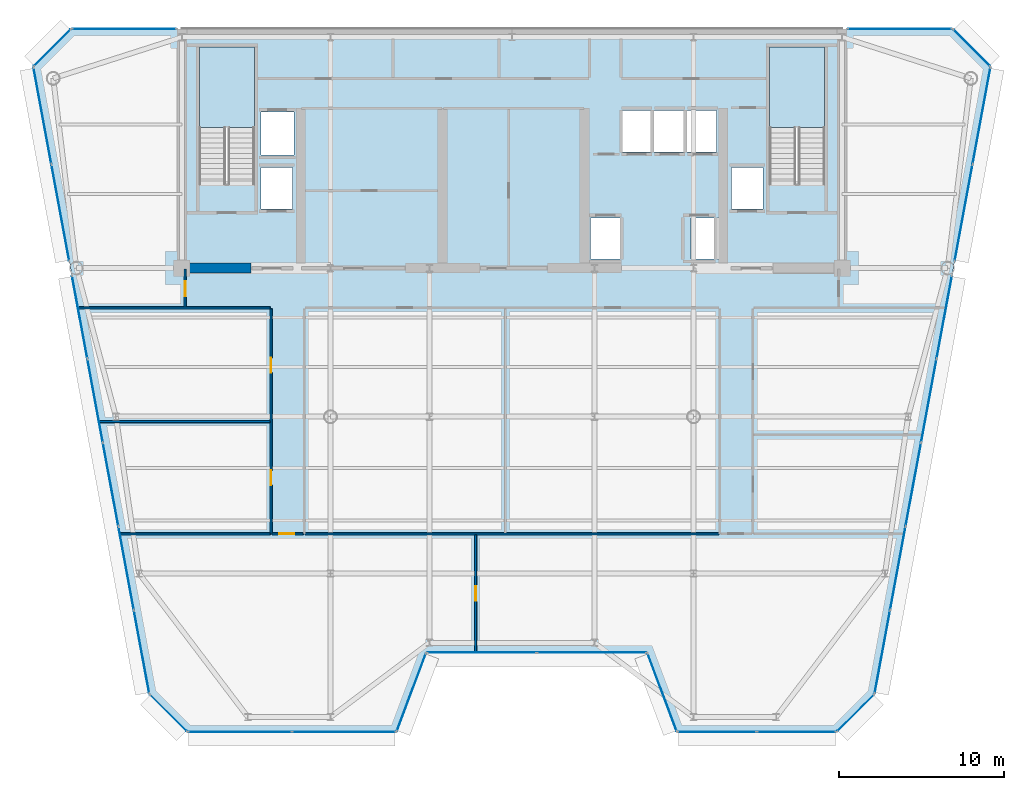
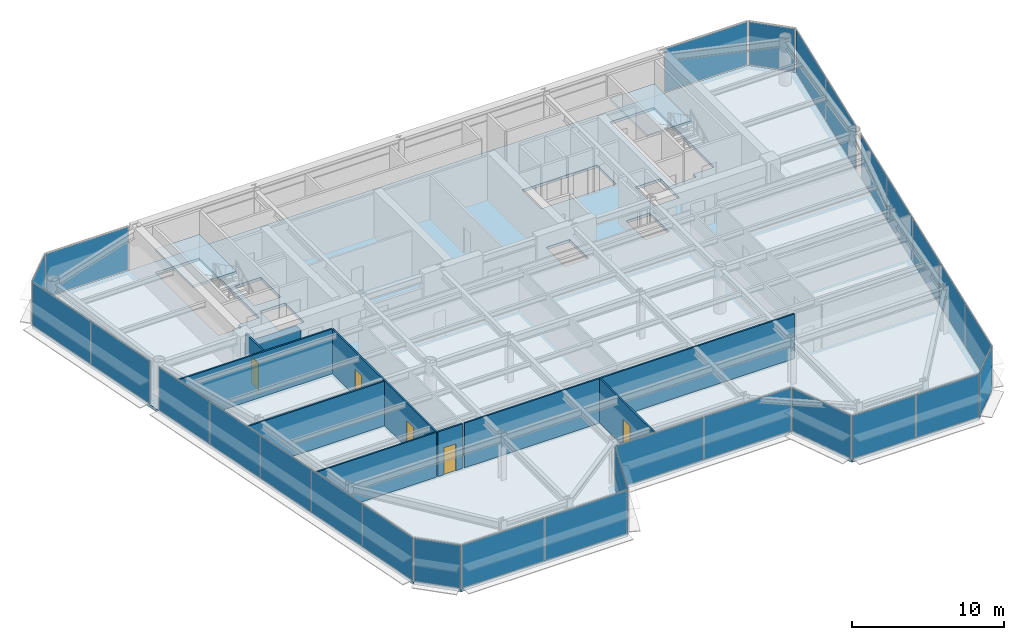
# One storey, part 10 of 16: 28 plates, 9 walls, 5 doors, 3 slabs, 5 openings, 17 elements without a shape of their own.
"""IFC4 building model written with IfcOpenShell, lengths in metres."""

from ifc_helpers import new_model, si_unit, direction, frame, frame_2d, origin, origin_2d, place, context, subcontext, project, spatial, polyline, rectangle, outline, extrude, source, transform, mapped, material, layer, layer_set, type_object, element, fill, aggregate, save


model = new_model("IFC4")

# Units and contexts
model_context = context("Model", 3, precision=1e-05, world=origin(), true_north=direction((0.0, 1.0)))
body_context = subcontext(model_context, "Body", "Model", "MODEL_VIEW")
ifc_project = project(units=[si_unit("LENGTHUNIT", "METRE"), si_unit("AREAUNIT", "SQUARE_METRE"), si_unit("VOLUMEUNIT", "CUBIC_METRE"), si_unit("PLANEANGLEUNIT", "RADIAN"), si_unit("MASSUNIT", "GRAM", prefix="KILO")], contexts=[model_context])

# Site, building, storey
site_placement = place(None, origin())
site = spatial("IfcSite", under=ifc_project, at=site_placement, CompositionType="ELEMENT")
building_placement = place(site_placement, origin())
building = spatial("IfcBuilding", under=site, at=building_placement, Name="Vaeldorn Concourse Tower", CompositionType="ELEMENT")
storey_placement = place(building_placement, frame((0.0, 0.0, 210.800048828125)))
storey = spatial("IfcBuildingStorey", under=building, at=storey_placement, Name="L54", CompositionType="ELEMENT", Elevation=210.800048828125)

# Stair, slab
ifc_material_1 = material(Name="Precast concrete C40/50", Category="concrete")
stair_type = type_object("IfcStairType", Name="STR-DOG-24x158", PredefinedType="HALF_TURN_STAIR", material=ifc_material_1)
stair_1_placement = place(storey_placement, origin())
stair_1 = element("IfcStair", 1, at=stair_1_placement, inside=storey, type_object=stair_type, Name="L54 West Core Exit Stair ST-1", PredefinedType="HALF_TURN_STAIR")
ifc_material_2 = material(Name="Concrete C40/50", Category="concrete")
ifc_layer_1 = layer(ifc_material_2, 0.199951171875)
ifc_layer_set_1 = layer_set([ifc_layer_1], Name="Concrete C40/50")
slab_type_1 = type_object("IfcSlabType", Name="SL-STAIR-LANDING", PredefinedType="LANDING", material=ifc_layer_set_1)
slab_1_placement = place(storey_placement, frame((0.0, 0.0, 1.699951171875)))
slab_1 = element("IfcSlab", 2, at=slab_1_placement, type_object=slab_type_1, Name="ST-1 landing 1", PredefinedType="LANDING", context=body_context, shape_type="SweptSolid", body=[
    extrude(outline(polyline([(18.39990234375, 45.010009765625), (18.39990234375, 49.89990234375), (15.050048828125, 49.89990234375), (15.050048828125, 45.010009765625), (18.39990234375, 45.010009765625)])), origin(), (0.0, 0.0, 1.0), 0.199951171875),
])
aggregate(stair_1, [slab_1])

stair_2_placement = place(storey_placement, origin())
stair_2 = element("IfcStair", 3, at=stair_2_placement, inside=storey, type_object=stair_type, Name="L54 East Core Exit Stair ST-2", PredefinedType="HALF_TURN_STAIR")
slab_2_placement = place(storey_placement, frame((0.0, 0.0, 1.699951171875)))
slab_2 = element("IfcSlab", 4, at=slab_2_placement, type_object=slab_type_1, Name="ST-2 landing 1", PredefinedType="LANDING", context=body_context, shape_type="SweptSolid", body=[
    extrude(outline(polyline([(52.949951171875, 45.010009765625), (52.949951171875, 49.89990234375), (49.60009765625, 49.89990234375), (49.60009765625, 45.010009765625), (52.949951171875, 45.010009765625)])), origin(), (0.0, 0.0, 1.0), 0.199951171875),
])
aggregate(stair_2, [slab_2])

# Slab
ifc_layer_2 = layer(ifc_material_2, 0.219970703125)
ifc_layer_set_2 = layer_set([ifc_layer_2], Name="Concrete C40/50")
slab_type_2 = type_object("IfcSlabType", Name="SL-TYP-220", PredefinedType="FLOOR", material=ifc_layer_set_2)
slab_3_placement = place(storey_placement, frame((0.0, 0.0, -0.219970703125)))
element("IfcSlab", 5, at=slab_3_placement, inside=storey, type_object=slab_type_2, Name="Structural Floor Slab L54", PredefinedType="FLOOR", context=body_context, shape_type="SweptSolid", body=[
    extrude(outline(polyline([(14.3291015625, 8.39990234375), (27.0, 8.39990234375), (28.800048828125, 13.199951171875), (42.199951171875, 13.199951171875), (44.0, 8.39990234375), (53.6708984375, 8.39990234375), (55.970947265625, 10.699951171875), (63.0, 48.699951171875), (60.699951171875, 51.0), (7.300048828125, 51.0), (5.0, 48.699951171875), (12.029052734375, 10.699951171875), (14.3291015625, 8.39990234375)]), holes=[polyline([(18.39990234375, 42.0), (18.39990234375, 49.89990234375), (15.050048828125, 49.89990234375), (15.050048828125, 41.60009765625), (16.800048828125, 41.60009765625), (16.800048828125, 42.0), (18.39990234375, 42.0)]), polyline([(52.949951171875, 42.0), (52.949951171875, 49.89990234375), (49.60009765625, 49.89990234375), (49.60009765625, 41.60009765625), (51.35009765625, 41.60009765625), (51.35009765625, 42.0), (52.949951171875, 42.0)]), polyline([(38.75, 37.050048828125), (40.550048828125, 37.050048828125), (40.550048828125, 39.550048828125), (38.75, 39.550048828125), (38.75, 37.050048828125)]), polyline([(44.85009765625, 37.050048828125), (46.64990234375, 37.050048828125), (46.64990234375, 39.550048828125), (44.85009765625, 39.550048828125), (44.85009765625, 37.050048828125)]), polyline([(40.699951171875, 43.550048828125), (46.39990234375, 43.550048828125), (46.39990234375, 46.050048828125), (40.699951171875, 46.050048828125), (40.699951171875, 43.550048828125)]), polyline([(18.800048828125, 43.35009765625), (20.800048828125, 43.35009765625), (20.800048828125, 45.949951171875), (18.800048828125, 45.949951171875), (18.800048828125, 43.35009765625)]), polyline([(18.800048828125, 40.10009765625), (20.699951171875, 40.10009765625), (20.699951171875, 42.60009765625), (18.800048828125, 42.60009765625), (18.800048828125, 40.10009765625)]), polyline([(47.300048828125, 40.10009765625), (49.199951171875, 40.10009765625), (49.199951171875, 42.60009765625), (47.300048828125, 42.60009765625), (47.300048828125, 40.10009765625)])]), origin(), (0.0, 0.0, 1.0), 0.219970703125),
])

# Curtain wall, plate
ifc_material_3 = material(Name="Anodised Bronze Aluminium", Category="aluminium")
ifc_layer_3 = layer(ifc_material_3, 0.18994140625)
ifc_layer_set_3 = layer_set([ifc_layer_3], Name="Anodised Bronze Aluminium")
curtain_wall_type = type_object("IfcCurtainWallType", Name="CW-SYS-03", PredefinedType="NOTDEFINED", material=ifc_layer_set_3)
curtain_wall_1_placement = place(storey_placement, origin())
curtain_wall_1 = element("IfcCurtainWall", 6, at=curtain_wall_1_placement, inside=storey, type_object=curtain_wall_type, Name="Unitised Curtain Wall CW-L54-E02-1", PredefinedType="NOTDEFINED")
ifc_material_4 = material(Name="Bronze Tinted Low-E Insulated Glass", Category="glass")
ifc_layer_4 = layer(ifc_material_4, 0.031982421875)
ifc_layer_set_4 = layer_set([ifc_layer_4], Name="Bronze Tinted Low-E Insulated Glass")
plate_type = type_object("IfcPlateType", Name="CWP-VISION-32", PredefinedType="CURTAIN_PANEL", material=ifc_layer_set_4)
shared_shape_1 = source(origin(), body_context, "Body", "SweptSolid", [
    extrude(rectangle(XDim=4.996337890625, YDim=0.031982421875, at=origin_2d()), origin(), (0.0, 0.0, 1.0), 3.449951171875),
])
plate_1_placement = place(storey_placement, frame((27.89990234375, 10.800048828125, 0.06494140625), z_axis=(0.0, 0.0, 1.0), x_axis=(0.351123441595, 0.936329177566, 0.0)))
plate_1 = element("IfcPlate", 7, at=plate_1_placement, type_object=plate_type, Name="CW-03 panel 1.1", PredefinedType="CURTAIN_PANEL", context=body_context, shape_type="MappedRepresentation", body=[
    mapped(shared_shape_1, transform((0.0, 0.0, 0.0), scale=1.0)),
])
aggregate(curtain_wall_1, [plate_1])

curtain_wall_2_placement = place(storey_placement, origin())
curtain_wall_2 = element("IfcCurtainWall", 8, at=curtain_wall_2_placement, inside=storey, type_object=curtain_wall_type, Name="Unitised Curtain Wall CW-L54-E04-1", PredefinedType="NOTDEFINED")
plate_2_placement = place(storey_placement, frame((43.10009765625, 10.800048828125, 0.06494140625), z_axis=(0.0, 0.0, 1.0), x_axis=(0.351123441595, -0.936329177566, 0.0)))
plate_2 = element("IfcPlate", 9, at=plate_2_placement, type_object=plate_type, Name="CW-03 panel 1.1", PredefinedType="CURTAIN_PANEL", context=body_context, shape_type="MappedRepresentation", body=[
    mapped(shared_shape_1, transform((0.0, 0.0, 0.0), scale=1.0)),
])
aggregate(curtain_wall_2, [plate_2])

# Curtain wall, plates
curtain_wall_3_placement = place(storey_placement, origin())
curtain_wall_3 = element("IfcCurtainWall", 10, at=curtain_wall_3_placement, inside=storey, type_object=curtain_wall_type, Name="Unitised Curtain Wall CW-L54-E03-1", PredefinedType="NOTDEFINED")
shared_shape_2 = source(origin(), body_context, "Body", "SweptSolid", [
    extrude(rectangle(XDim=6.6025390625, YDim=0.031982421875, at=origin_2d()), origin(), (0.0, 0.0, 1.0), 3.449951171875),
])
plate_3_placement = place(storey_placement, frame((32.166259765625, 13.199951171875, 0.06494140625), z_axis=(0.0, 0.0, 1.0), x_axis=(1.0, 0.0, 0.0)))
plate_3 = element("IfcPlate", 11, at=plate_3_placement, type_object=plate_type, Name="CW-03 panel 1.1", PredefinedType="CURTAIN_PANEL", context=body_context, shape_type="MappedRepresentation", body=[
    mapped(shared_shape_2, transform((0.0, 0.0, 0.0), scale=1.0)),
])
plate_4_placement = place(storey_placement, frame((38.833740234375, 13.199951171875, 0.06494140625), z_axis=(0.0, 0.0, 1.0), x_axis=(1.0, 0.0, 0.0)))
plate_4 = element("IfcPlate", 12, at=plate_4_placement, type_object=plate_type, Name="CW-03 panel 2.1", PredefinedType="CURTAIN_PANEL", context=body_context, shape_type="MappedRepresentation", body=[
    mapped(shared_shape_2, transform((0.0, 0.0, 0.0), scale=1.0)),
])
aggregate(curtain_wall_3, [plate_3, plate_4])

# Curtain wall, plate
curtain_wall_4_placement = place(storey_placement, origin())
curtain_wall_4 = element("IfcCurtainWall", 13, at=curtain_wall_4_placement, inside=storey, type_object=curtain_wall_type, Name="Unitised Curtain Wall CW-L54-E06-1", PredefinedType="NOTDEFINED")
shared_shape_3 = source(origin(), body_context, "Body", "SweptSolid", [
    extrude(rectangle(XDim=3.122802734375, YDim=0.031982421875, at=origin_2d()), origin(), (0.0, 0.0, 1.0), 3.449951171875),
])
plate_5_placement = place(storey_placement, frame((54.821044921875, 9.550048828125, 0.06494140625), z_axis=(0.0, 0.0, 1.0), x_axis=(0.707106781187, 0.707106781187, 0.0)))
plate_5 = element("IfcPlate", 14, at=plate_5_placement, type_object=plate_type, Name="CW-03 panel 1.1", PredefinedType="CURTAIN_PANEL", context=body_context, shape_type="MappedRepresentation", body=[
    mapped(shared_shape_3, transform((0.0, 0.0, 0.0), scale=1.0)),
])
aggregate(curtain_wall_4, [plate_5])

curtain_wall_5_placement = place(storey_placement, origin())
curtain_wall_5 = element("IfcCurtainWall", 15, at=curtain_wall_5_placement, inside=storey, type_object=curtain_wall_type, Name="Unitised Curtain Wall CW-L54-E08-1", PredefinedType="NOTDEFINED")
plate_6_placement = place(storey_placement, frame((61.85009765625, 49.85009765625, 0.06494140625), z_axis=(0.0, 0.0, 1.0), x_axis=(-0.707106781187, 0.707106781187, 0.0)))
plate_6 = element("IfcPlate", 16, at=plate_6_placement, type_object=plate_type, Name="CW-03 panel 1.1", PredefinedType="CURTAIN_PANEL", context=body_context, shape_type="MappedRepresentation", body=[
    mapped(shared_shape_3, transform((0.0, 0.0, 0.0), scale=1.0)),
])
aggregate(curtain_wall_5, [plate_6])

curtain_wall_6_placement = place(storey_placement, origin())
curtain_wall_6 = element("IfcCurtainWall", 17, at=curtain_wall_6_placement, inside=storey, type_object=curtain_wall_type, Name="Unitised Curtain Wall CW-L54-E10-1", PredefinedType="NOTDEFINED")
plate_7_placement = place(storey_placement, frame((6.14990234375, 49.85009765625, 0.06494140625), z_axis=(0.0, 0.0, 1.0), x_axis=(-0.707106781187, -0.707106781187, 0.0)))
plate_7 = element("IfcPlate", 18, at=plate_7_placement, type_object=plate_type, Name="CW-03 panel 1.1", PredefinedType="CURTAIN_PANEL", context=body_context, shape_type="MappedRepresentation", body=[
    mapped(shared_shape_3, transform((0.0, 0.0, 0.0), scale=1.0)),
])
aggregate(curtain_wall_6, [plate_7])

curtain_wall_7_placement = place(storey_placement, origin())
curtain_wall_7 = element("IfcCurtainWall", 19, at=curtain_wall_7_placement, inside=storey, type_object=curtain_wall_type, Name="Unitised Curtain Wall CW-L54-E12-1", PredefinedType="NOTDEFINED")
plate_8_placement = place(storey_placement, frame((13.178955078125, 9.550048828125, 0.06494140625), z_axis=(0.0, 0.0, 1.0), x_axis=(0.707106781187, -0.707106781187, 0.0)))
plate_8 = element("IfcPlate", 20, at=plate_8_placement, type_object=plate_type, Name="CW-03 panel 1.1", PredefinedType="CURTAIN_PANEL", context=body_context, shape_type="MappedRepresentation", body=[
    mapped(shared_shape_3, transform((0.0, 0.0, 0.0), scale=1.0)),
])
aggregate(curtain_wall_7, [plate_8])

curtain_wall_8_placement = place(storey_placement, origin())
curtain_wall_8 = element("IfcCurtainWall", 21, at=curtain_wall_8_placement, inside=storey, type_object=curtain_wall_type, Name="Unitised Curtain Wall CW-L54-E09-1", PredefinedType="NOTDEFINED")
shared_shape_4 = source(origin(), body_context, "Body", "SweptSolid", [
    extrude(rectangle(XDim=6.27490234375, YDim=0.031982421875, at=origin_2d()), origin(), (0.0, 0.0, 1.0), 3.449951171875),
])
plate_9_placement = place(storey_placement, frame((57.49755859375, 51.0, 0.06494140625), z_axis=(0.0, 0.0, 1.0), x_axis=(-1.0, 0.0, 0.0)))
plate_9 = element("IfcPlate", 22, at=plate_9_placement, type_object=plate_type, Name="CW-03 panel 1.1", PredefinedType="CURTAIN_PANEL", context=body_context, shape_type="MappedRepresentation", body=[
    mapped(shared_shape_4, transform((0.0, 0.0, 0.0), scale=1.0)),
])
aggregate(curtain_wall_8, [plate_9])

curtain_wall_9_placement = place(storey_placement, origin())
curtain_wall_9 = element("IfcCurtainWall", 23, at=curtain_wall_9_placement, inside=storey, type_object=curtain_wall_type, Name="Unitised Curtain Wall CW-L54-E09-2", PredefinedType="NOTDEFINED")
plate_10_placement = place(storey_placement, frame((10.50244140625, 51.0, 0.06494140625), z_axis=(0.0, 0.0, 1.0), x_axis=(-1.0, 0.0, 0.0)))
plate_10 = element("IfcPlate", 24, at=plate_10_placement, type_object=plate_type, Name="CW-03 panel 1.1", PredefinedType="CURTAIN_PANEL", context=body_context, shape_type="MappedRepresentation", body=[
    mapped(shared_shape_4, transform((0.0, 0.0, 0.0), scale=1.0)),
])
aggregate(curtain_wall_9, [plate_10])

# Curtain wall, plates
curtain_wall_10_placement = place(storey_placement, origin())
curtain_wall_10 = element("IfcCurtainWall", 25, at=curtain_wall_10_placement, inside=storey, type_object=curtain_wall_type, Name="Unitised Curtain Wall CW-L54-E07-1", PredefinedType="NOTDEFINED")
shared_shape_5 = source(origin(), body_context, "Body", "SweptSolid", [
    extrude(rectangle(XDim=5.0654296875, YDim=0.031982421875, at=origin_2d()), origin(), (0.0, 0.0, 1.0), 3.449951171875),
])
plate_11_placement = place(storey_placement, frame((56.443603515625, 13.25439453125, 0.06494140625), z_axis=(0.0, 0.0, 1.0), x_axis=(0.181888946432, 0.983319079021, 0.0)))
plate_11 = element("IfcPlate", 26, at=plate_11_placement, type_object=plate_type, Name="CW-03 panel 1.1", PredefinedType="CURTAIN_PANEL", context=body_context, shape_type="MappedRepresentation", body=[
    mapped(shared_shape_5, transform((0.0, 0.0, 0.0), scale=1.0)),
])
plate_12_placement = place(storey_placement, frame((60.19384765625, 33.529052734375, 0.06494140625), z_axis=(0.0, 0.0, 1.0), x_axis=(0.181888946432, 0.983319079021, 0.0)))
plate_12 = element("IfcPlate", 27, at=plate_12_placement, type_object=plate_type, Name="CW-03 panel 5.1", PredefinedType="CURTAIN_PANEL", context=body_context, shape_type="MappedRepresentation", body=[
    mapped(shared_shape_5, transform((0.0, 0.0, 0.0), scale=1.0)),
])

curtain_wall_11_placement = place(storey_placement, origin())
curtain_wall_11 = element("IfcCurtainWall", 28, at=curtain_wall_11_placement, inside=storey, type_object=curtain_wall_type, Name="Unitised Curtain Wall CW-L54-E11-2", PredefinedType="NOTDEFINED")
plate_13_placement = place(storey_placement, frame((7.80615234375, 33.529052734375, 0.06494140625), z_axis=(0.0, 0.0, 1.0), x_axis=(0.181888946432, -0.983319079021, 0.0)))
plate_13 = element("IfcPlate", 29, at=plate_13_placement, type_object=plate_type, Name="CW-03 panel 1.1", PredefinedType="CURTAIN_PANEL", context=body_context, shape_type="MappedRepresentation", body=[
    mapped(shared_shape_5, transform((0.0, 0.0, 0.0), scale=1.0)),
])
plate_14_placement = place(storey_placement, frame((11.556396484375, 13.25439453125, 0.06494140625), z_axis=(0.0, 0.0, 1.0), x_axis=(0.181888946432, -0.983319079021, 0.0)))
plate_14 = element("IfcPlate", 30, at=plate_14_placement, type_object=plate_type, Name="CW-03 panel 5.1", PredefinedType="CURTAIN_PANEL", context=body_context, shape_type="MappedRepresentation", body=[
    mapped(shared_shape_5, transform((0.0, 0.0, 0.0), scale=1.0)),
])

# Plate
shared_shape_6 = source(origin(), body_context, "Body", "SweptSolid", [
    extrude(rectangle(XDim=5.097900390625, YDim=0.031982421875, at=origin_2d()), origin(), (0.0, 0.0, 1.0), 3.449951171875),
])
plate_15_placement = place(storey_placement, frame((57.379638671875, 18.31494140625, 0.06494140625), z_axis=(0.0, 0.0, 1.0), x_axis=(0.181888946432, 0.983319079021, 0.0)))
plate_15 = element("IfcPlate", 31, at=plate_15_placement, type_object=plate_type, Name="CW-03 panel 2.1", PredefinedType="CURTAIN_PANEL", context=body_context, shape_type="MappedRepresentation", body=[
    mapped(shared_shape_6, transform((0.0, 0.0, 0.0), scale=1.0)),
])

plate_16_placement = place(storey_placement, frame((58.318603515625, 23.391845703125, 0.06494140625), z_axis=(0.0, 0.0, 1.0), x_axis=(0.181888946432, 0.983319079021, 0.0)))
plate_16 = element("IfcPlate", 32, at=plate_16_placement, type_object=plate_type, Name="CW-03 panel 3.1", PredefinedType="CURTAIN_PANEL", context=body_context, shape_type="MappedRepresentation", body=[
    mapped(shared_shape_6, transform((0.0, 0.0, 0.0), scale=1.0)),
])

plate_17_placement = place(storey_placement, frame((59.2578125, 28.468505859375, 0.06494140625), z_axis=(0.0, 0.0, 1.0), x_axis=(0.181888946432, 0.983319079021, 0.0)))
plate_17 = element("IfcPlate", 33, at=plate_17_placement, type_object=plate_type, Name="CW-03 panel 4.1", PredefinedType="CURTAIN_PANEL", context=body_context, shape_type="MappedRepresentation", body=[
    mapped(shared_shape_6, transform((0.0, 0.0, 0.0), scale=1.0)),
])

aggregate(curtain_wall_10, [plate_11, plate_15, plate_16, plate_17, plate_12])

plate_18_placement = place(storey_placement, frame((8.7421875, 28.468505859375, 0.06494140625), z_axis=(0.0, 0.0, 1.0), x_axis=(0.181888946432, -0.983319079021, 0.0)))
plate_18 = element("IfcPlate", 34, at=plate_18_placement, type_object=plate_type, Name="CW-03 panel 2.1", PredefinedType="CURTAIN_PANEL", context=body_context, shape_type="MappedRepresentation", body=[
    mapped(shared_shape_6, transform((0.0, 0.0, 0.0), scale=1.0)),
])

plate_19_placement = place(storey_placement, frame((9.681396484375, 23.391845703125, 0.06494140625), z_axis=(0.0, 0.0, 1.0), x_axis=(0.181888946432, -0.983319079021, 0.0)))
plate_19 = element("IfcPlate", 35, at=plate_19_placement, type_object=plate_type, Name="CW-03 panel 3.1", PredefinedType="CURTAIN_PANEL", context=body_context, shape_type="MappedRepresentation", body=[
    mapped(shared_shape_6, transform((0.0, 0.0, 0.0), scale=1.0)),
])

plate_20_placement = place(storey_placement, frame((10.620361328125, 18.31494140625, 0.06494140625), z_axis=(0.0, 0.0, 1.0), x_axis=(0.181888946432, -0.983319079021, 0.0)))
plate_20 = element("IfcPlate", 36, at=plate_20_placement, type_object=plate_type, Name="CW-03 panel 4.1", PredefinedType="CURTAIN_PANEL", context=body_context, shape_type="MappedRepresentation", body=[
    mapped(shared_shape_6, transform((0.0, 0.0, 0.0), scale=1.0)),
])

aggregate(curtain_wall_11, [plate_13, plate_18, plate_19, plate_20, plate_14])

# Curtain wall, plates
curtain_wall_12_placement = place(storey_placement, origin())
curtain_wall_12 = element("IfcCurtainWall", 37, at=curtain_wall_12_placement, inside=storey, type_object=curtain_wall_type, Name="Unitised Curtain Wall CW-L54-E07-2", PredefinedType="NOTDEFINED")
shared_shape_7 = source(origin(), body_context, "Body", "SweptSolid", [
    extrude(rectangle(XDim=5.90478515625, YDim=0.031982421875, at=origin_2d()), origin(), (0.0, 0.0, 1.0), 3.449951171875),
])
plate_21_placement = place(storey_placement, frame((61.365234375, 39.86279296875, 0.06494140625), z_axis=(0.0, 0.0, 1.0), x_axis=(0.181887908602, 0.983319270992, 0.0)))
plate_21 = element("IfcPlate", 38, at=plate_21_placement, type_object=plate_type, Name="CW-03 panel 1.1", PredefinedType="CURTAIN_PANEL", context=body_context, shape_type="MappedRepresentation", body=[
    mapped(shared_shape_7, transform((0.0, 0.0, 0.0), scale=1.0)),
])
plate_22_placement = place(storey_placement, frame((62.451171875, 45.73291015625, 0.06494140625), z_axis=(0.0, 0.0, 1.0), x_axis=(0.181887908602, 0.983319270992, 0.0)))
plate_22 = element("IfcPlate", 39, at=plate_22_placement, type_object=plate_type, Name="CW-03 panel 2.1", PredefinedType="CURTAIN_PANEL", context=body_context, shape_type="MappedRepresentation", body=[
    mapped(shared_shape_7, transform((0.0, 0.0, 0.0), scale=1.0)),
])
aggregate(curtain_wall_12, [plate_21, plate_22])

curtain_wall_13_placement = place(storey_placement, origin())
curtain_wall_13 = element("IfcCurtainWall", 40, at=curtain_wall_13_placement, inside=storey, type_object=curtain_wall_type, Name="Unitised Curtain Wall CW-L54-E11-1", PredefinedType="NOTDEFINED")
plate_23_placement = place(storey_placement, frame((5.548828125, 45.73291015625, 0.06494140625), z_axis=(0.0, 0.0, 1.0), x_axis=(0.181887908602, -0.983319270992, 0.0)))
plate_23 = element("IfcPlate", 41, at=plate_23_placement, type_object=plate_type, Name="CW-03 panel 1.1", PredefinedType="CURTAIN_PANEL", context=body_context, shape_type="MappedRepresentation", body=[
    mapped(shared_shape_7, transform((0.0, 0.0, 0.0), scale=1.0)),
])
plate_24_placement = place(storey_placement, frame((6.634765625, 39.86279296875, 0.06494140625), z_axis=(0.0, 0.0, 1.0), x_axis=(0.181887908602, -0.983319270992, 0.0)))
plate_24 = element("IfcPlate", 42, at=plate_24_placement, type_object=plate_type, Name="CW-03 panel 2.1", PredefinedType="CURTAIN_PANEL", context=body_context, shape_type="MappedRepresentation", body=[
    mapped(shared_shape_7, transform((0.0, 0.0, 0.0), scale=1.0)),
])
aggregate(curtain_wall_13, [plate_23, plate_24])

curtain_wall_14_placement = place(storey_placement, origin())
curtain_wall_14 = element("IfcCurtainWall", 43, at=curtain_wall_14_placement, inside=storey, type_object=curtain_wall_type, Name="Unitised Curtain Wall CW-L54-E01-1", PredefinedType="NOTDEFINED")
shared_shape_8 = source(origin(), body_context, "Body", "SweptSolid", [
    extrude(rectangle(XDim=6.238037109375, YDim=0.031982421875, at=origin_2d()), origin(), (0.0, 0.0, 1.0), 3.449951171875),
])
plate_25_placement = place(storey_placement, frame((17.512939453125, 8.39990234375, 0.06494140625), z_axis=(0.0, 0.0, 1.0), x_axis=(1.0, 0.0, 0.0)))
plate_25 = element("IfcPlate", 44, at=plate_25_placement, type_object=plate_type, Name="CW-03 panel 1.1", PredefinedType="CURTAIN_PANEL", context=body_context, shape_type="MappedRepresentation", body=[
    mapped(shared_shape_8, transform((0.0, 0.0, 0.0), scale=1.0)),
])
plate_26_placement = place(storey_placement, frame((23.81591796875, 8.39990234375, 0.06494140625), z_axis=(0.0, 0.0, 1.0), x_axis=(1.0, 0.0, 0.0)))
plate_26 = element("IfcPlate", 45, at=plate_26_placement, type_object=plate_type, Name="CW-03 panel 2.1", PredefinedType="CURTAIN_PANEL", context=body_context, shape_type="MappedRepresentation", body=[
    mapped(shared_shape_8, transform((0.0, 0.0, 0.0), scale=1.0)),
])
aggregate(curtain_wall_14, [plate_25, plate_26])

curtain_wall_15_placement = place(storey_placement, origin())
curtain_wall_15 = element("IfcCurtainWall", 46, at=curtain_wall_15_placement, inside=storey, type_object=curtain_wall_type, Name="Unitised Curtain Wall CW-L54-E05-1", PredefinedType="NOTDEFINED")
shared_shape_9 = source(origin(), body_context, "Body", "SweptSolid", [
    extrude(rectangle(XDim=4.738037109375, YDim=0.031982421875, at=origin_2d()), origin(), (0.0, 0.0, 1.0), 3.449951171875),
])
plate_27_placement = place(storey_placement, frame((46.43408203125, 8.39990234375, 0.06494140625), z_axis=(0.0, 0.0, 1.0), x_axis=(1.0, 0.0, 0.0)))
plate_27 = element("IfcPlate", 47, at=plate_27_placement, type_object=plate_type, Name="CW-03 panel 1.1", PredefinedType="CURTAIN_PANEL", context=body_context, shape_type="MappedRepresentation", body=[
    mapped(shared_shape_9, transform((0.0, 0.0, 0.0), scale=1.0)),
])
plate_28_placement = place(storey_placement, frame((51.237060546875, 8.39990234375, 0.06494140625), z_axis=(0.0, 0.0, 1.0), x_axis=(1.0, 0.0, 0.0)))
plate_28 = element("IfcPlate", 48, at=plate_28_placement, type_object=plate_type, Name="CW-03 panel 2.1", PredefinedType="CURTAIN_PANEL", context=body_context, shape_type="MappedRepresentation", body=[
    mapped(shared_shape_9, transform((0.0, 0.0, 0.0), scale=1.0)),
])
aggregate(curtain_wall_15, [plate_27, plate_28])

# Walls
ifc_material_5 = material(Name="Concrete C50/60", Category="concrete")
ifc_layer_5 = layer(ifc_material_5, 0.60009765625)
ifc_layer_set_5 = layer_set([ifc_layer_5], Name="Concrete C50/60")
wall_type_1 = type_object("IfcWallType", Name="WL-CORE-600", PredefinedType="SHEAR", material=ifc_layer_set_5)
wall_1_placement = place(storey_placement, frame((14.320068359375, 36.5, 0.0), z_axis=(0.0, 0.0, 1.0), x_axis=(1.0, 0.0, 0.0)))
element("IfcWall", 49, at=wall_1_placement, inside=storey, type_object=wall_type_1, Name="Rear Core Shear Wall L54 S1", PredefinedType="SHEAR", context=body_context, shape_type="SweptSolid", body=[
    extrude(rectangle(XDim=3.8798828125, YDim=0.60009765625, at=frame_2d((1.93994140625, 0.0))), origin(), (0.0, 0.0, 1.0), 2.579833984375),
])
ifc_material_6 = material(Name="Gypsum Board Partition", Category="gypsum")
ifc_layer_6 = layer(ifc_material_6, 0.1201171875)
ifc_layer_set_6 = layer_set([ifc_layer_6], Name="Gypsum Board Partition")
wall_type_2 = type_object("IfcWallType", Name="WL-PART-120", PredefinedType="PARTITIONING", material=ifc_layer_set_6)
wall_2_placement = place(storey_placement, frame((7.740478515625, 34.10009765625, 0.0), z_axis=(0.0, 0.0, 1.0), x_axis=(1.0, 0.0, 0.0)))
element("IfcWall", 50, at=wall_2_placement, inside=storey, type_object=wall_type_2, Name="Interior Wall PW-L54-CEWW", PredefinedType="PARTITIONING", context=body_context, shape_type="SweptSolid", body=[
    extrude(rectangle(XDim=11.599609375, YDim=0.1201171875, at=frame_2d((5.7998046875, 0.0))), origin(), (0.0, 0.0, 1.0), 3.579833984375),
])

# Wall, opening, door
wall_3_placement = place(storey_placement, frame((14.199951171875, 34.159912109375, 0.0), z_axis=(0.0, 0.0, 1.0), x_axis=(0.0, 1.0, 0.0)))
wall_3 = element("IfcWall", 51, at=wall_3_placement, inside=storey, type_object=wall_type_2, Name="Interior Wall PW-L54-CWWT", PredefinedType="PARTITIONING", context=body_context, shape_type="SweptSolid", body=[
    extrude(rectangle(XDim=2.280029296875, YDim=0.1201171875, at=frame_2d((1.14013671875, 0.0))), origin(), (0.0, 0.0, 1.0), 3.579833984375),
])
opening_1_placement = place(wall_3_placement, frame((0.64990234375, 0.0, 0.0)))
opening_1 = element("IfcOpeningElement", 52, at=opening_1_placement, cuts=wall_3, Name="Opening D-03", PredefinedType="OPENING", context=body_context, shape_type="SweptSolid", body=[
    extrude(rectangle(XDim=0.89990234375, YDim=2.14990234375, at=frame_2d((0.449951171875, 1.074951171875))), frame((0.0, 0.070068359375, 0.0), z_axis=(0.0, -1.0, 0.0), x_axis=(1.0, 0.0, 0.0)), (0.0, 0.0, 1.0), 0.14013671875),
])
ifc_material_7 = material(Name="Acoustic Bronze-Framed Glass Door", Category="glass")
door_type = type_object("IfcDoorType", Name="DR-INT-900", OperationType="NOTDEFINED", PredefinedType="DOOR", material=ifc_material_7)
shared_shape_10 = source(origin(), body_context, "Body", "SweptSolid", [
    extrude(rectangle(XDim=0.89990234375, YDim=2.14990234375, at=frame_2d((0.449951171875, 1.074951171875))), frame((0.0, 0.02490234375, 0.0), z_axis=(0.0, -1.0, 0.0), x_axis=(1.0, 0.0, 0.0)), (0.0, 0.0, 1.0), 0.050048828125),
])
door_1_placement = place(opening_1_placement, origin())
door_1 = element("IfcDoor", 53, at=door_1_placement, inside=storey, type_object=door_type, Name="Interior Door DR-L54-NW1", OperationType="SINGLE_SWING_LEFT", OverallHeight=2.14990234375, OverallWidth=0.89990234375, PredefinedType="DOOR", context=body_context, shape_type="MappedRepresentation", body=[
    mapped(shared_shape_10, transform((0.0, 0.0, 0.0), scale=1.0)),
])
fill(opening_1, door_1)

# Wall, openings, doors
wall_4_placement = place(storey_placement, frame((19.39990234375, 20.39990234375, 0.0), z_axis=(0.0, 0.0, 1.0), x_axis=(0.0, 1.0, 0.0)))
wall_4 = element("IfcWall", 54, at=wall_4_placement, inside=storey, type_object=wall_type_2, Name="Interior Wall PW-L54-CWW", PredefinedType="PARTITIONING", context=body_context, shape_type="SweptSolid", body=[
    extrude(rectangle(XDim=13.64013671875, YDim=0.1201171875, at=frame_2d((6.820068359375, 0.0))), origin(), (0.0, 0.0, 1.0), 3.579833984375),
])
opening_2_placement = place(wall_4_placement, frame((2.949951171875, 0.0, 0.0)))
opening_2 = element("IfcOpeningElement", 55, at=opening_2_placement, cuts=wall_4, Name="Opening D-03", PredefinedType="OPENING", context=body_context, shape_type="SweptSolid", body=[
    extrude(rectangle(XDim=0.89990234375, YDim=2.14990234375, at=frame_2d((0.449951171875, 1.074951171875))), frame((0.0, 0.070068359375, 0.0), z_axis=(0.0, -1.0, 0.0), x_axis=(1.0, 0.0, 0.0)), (0.0, 0.0, 1.0), 0.14013671875),
])
opening_3_placement = place(wall_4_placement, frame((9.77001953125, 0.0, 0.0)))
opening_3 = element("IfcOpeningElement", 56, at=opening_3_placement, cuts=wall_4, Name="Opening D-03", PredefinedType="OPENING", context=body_context, shape_type="SweptSolid", body=[
    extrude(rectangle(XDim=0.89990234375, YDim=2.14990234375, at=frame_2d((0.449951171875, 1.074951171875))), frame((0.0, 0.070068359375, 0.0), z_axis=(0.0, -1.0, 0.0), x_axis=(1.0, 0.0, 0.0)), (0.0, 0.0, 1.0), 0.14013671875),
])
door_2_placement = place(opening_2_placement, origin())
door_2 = element("IfcDoor", 57, at=door_2_placement, inside=storey, type_object=door_type, Name="Interior Door DR-L54-W1", OperationType="SINGLE_SWING_LEFT", OverallHeight=2.14990234375, OverallWidth=0.89990234375, PredefinedType="DOOR", context=body_context, shape_type="MappedRepresentation", body=[
    mapped(shared_shape_10, transform((0.0, 0.0, 0.0), scale=1.0)),
])
fill(opening_2, door_2)
door_3_placement = place(opening_3_placement, origin())
door_3 = element("IfcDoor", 58, at=door_3_placement, inside=storey, type_object=door_type, Name="Interior Door DR-L54-W2", OperationType="SINGLE_SWING_RIGHT", OverallHeight=2.14990234375, OverallWidth=0.89990234375, PredefinedType="DOOR", context=body_context, shape_type="MappedRepresentation", body=[
    mapped(shared_shape_10, transform((0.0, 0.0, 0.0), scale=1.0)),
])
fill(opening_3, door_3)

# Wall, opening, door
wall_5_placement = place(storey_placement, frame((19.4599609375, 20.39990234375, 0.0), z_axis=(0.0, 0.0, 1.0), x_axis=(1.0, 0.0, 0.0)))
wall_5 = element("IfcWall", 59, at=wall_5_placement, inside=storey, type_object=wall_type_2, Name="Interior Wall PW-L54-CWS", PredefinedType="PARTITIONING", context=body_context, shape_type="SweptSolid", body=[
    extrude(rectangle(XDim=1.880126953125, YDim=0.1201171875, at=frame_2d((0.93994140625, 0.0))), origin(), (0.0, 0.0, 1.0), 3.579833984375),
])
opening_4_placement = place(wall_5_placement, frame((0.449951171875, 0.0, 0.0)))
opening_4 = element("IfcOpeningElement", 60, at=opening_4_placement, cuts=wall_5, Name="Opening D-03", PredefinedType="OPENING", context=body_context, shape_type="SweptSolid", body=[
    extrude(rectangle(XDim=0.89990234375, YDim=2.14990234375, at=frame_2d((0.449951171875, 1.074951171875))), frame((0.0, 0.070068359375, 0.0), z_axis=(0.0, -1.0, 0.0), x_axis=(1.0, 0.0, 0.0)), (0.0, 0.0, 1.0), 0.14013671875),
])
door_4_placement = place(opening_4_placement, origin())
door_4 = element("IfcDoor", 61, at=door_4_placement, inside=storey, type_object=door_type, Name="Interior Door DR-L54-SWL", OperationType="SINGLE_SWING_LEFT", OverallHeight=2.14990234375, OverallWidth=0.89990234375, PredefinedType="DOOR", context=body_context, shape_type="MappedRepresentation", body=[
    mapped(shared_shape_10, transform((0.0, 0.0, 0.0), scale=1.0)),
])
fill(opening_4, door_4)

# Walls
wall_6_placement = place(storey_placement, frame((10.27490234375, 20.39990234375, 0.0), z_axis=(0.0, 0.0, 1.0), x_axis=(1.0, 0.0, 0.0)))
element("IfcWall", 62, at=wall_6_placement, inside=storey, type_object=wall_type_2, Name="Interior Wall PW-L54-WY0", PredefinedType="PARTITIONING", context=body_context, shape_type="SweptSolid", body=[
    extrude(rectangle(XDim=9.065185546875, YDim=0.1201171875, at=frame_2d((4.53271484375, 0.0))), origin(), (0.0, 0.0, 1.0), 3.579833984375),
])
wall_7_placement = place(storey_placement, frame((9.016845703125, 27.199951171875, 0.0), z_axis=(0.0, 0.0, 1.0), x_axis=(1.0, 0.0, 0.0)))
element("IfcWall", 63, at=wall_7_placement, inside=storey, type_object=wall_type_2, Name="Interior Wall PW-L54-WY1", PredefinedType="PARTITIONING", context=body_context, shape_type="SweptSolid", body=[
    extrude(rectangle(XDim=10.3232421875, YDim=0.1201171875, at=frame_2d((5.16162109375, 0.0))), origin(), (0.0, 0.0, 1.0), 3.579833984375),
])
wall_8_placement = place(storey_placement, frame((21.4599609375, 20.39990234375, 0.0), z_axis=(0.0, 0.0, 1.0), x_axis=(1.0, 0.0, 0.0)))
element("IfcWall", 64, at=wall_8_placement, inside=storey, type_object=wall_type_2, Name="Interior Wall PW-L54-HUBS", PredefinedType="PARTITIONING", context=body_context, shape_type="SweptSolid", body=[
    extrude(rectangle(XDim=25.080078125, YDim=0.1201171875, at=frame_2d((12.5400390625, 0.0))), origin(), (0.0, 0.0, 1.0), 3.579833984375),
])

# Wall, opening, door
wall_9_placement = place(storey_placement, frame((31.800048828125, 13.239990234375, 0.0), z_axis=(0.0, 0.0, 1.0), x_axis=(0.0, 1.0, 0.0)))
wall_9 = element("IfcWall", 65, at=wall_9_placement, inside=storey, type_object=wall_type_2, Name="Interior Wall PW-L54-SMID1", PredefinedType="PARTITIONING", context=body_context, shape_type="SweptSolid", body=[
    extrude(rectangle(XDim=7.10009765625, YDim=0.1201171875, at=frame_2d((3.550048828125, 0.0))), origin(), (0.0, 0.0, 1.0), 3.579833984375),
])
opening_5_placement = place(wall_9_placement, frame((3.10009765625, 0.0, 0.0)))
opening_5 = element("IfcOpeningElement", 66, at=opening_5_placement, cuts=wall_9, Name="Opening D-03", PredefinedType="OPENING", context=body_context, shape_type="SweptSolid", body=[
    extrude(rectangle(XDim=0.89990234375, YDim=2.14990234375, at=frame_2d((0.449951171875, 1.074951171875))), frame((0.0, 0.070068359375, 0.0), z_axis=(0.0, -1.0, 0.0), x_axis=(1.0, 0.0, 0.0)), (0.0, 0.0, 1.0), 0.14013671875),
])
door_5_placement = place(opening_5_placement, origin())
door_5 = element("IfcDoor", 67, at=door_5_placement, inside=storey, type_object=door_type, Name="Interior Door DR-L54-SMID1", OperationType="SINGLE_SWING_RIGHT", OverallHeight=2.14990234375, OverallWidth=0.89990234375, PredefinedType="DOOR", context=body_context, shape_type="MappedRepresentation", body=[
    mapped(shared_shape_10, transform((0.0, 0.0, 0.0), scale=1.0)),
])
fill(opening_5, door_5)

save(model, "model.ifc")
